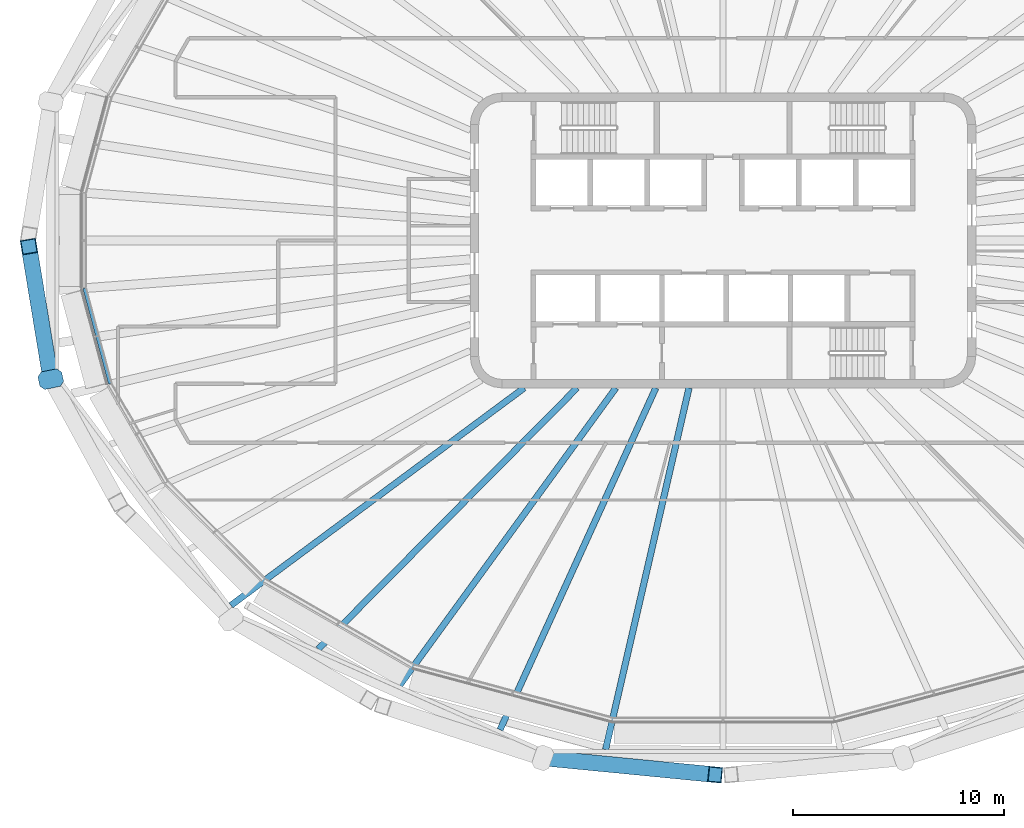
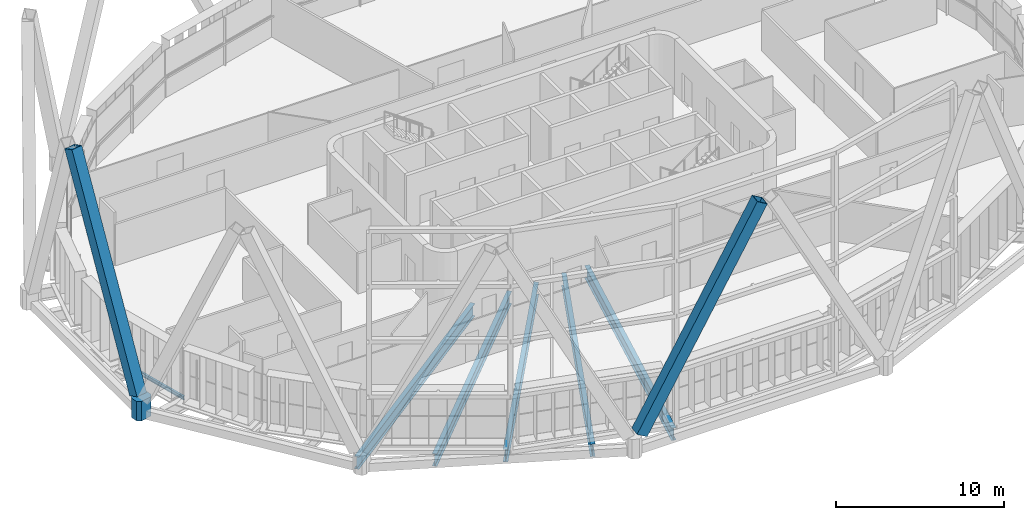
# One storey, part 2 of 22: 6 beams, 3 members.
"""IFC4 building model written with IfcOpenShell, lengths in metres."""

from ifc_helpers import new_model, si_unit, direction, frame, origin, origin_2d, place, context, subcontext, project, spatial, polyline, hollow_rectangle, i_section, outline, extrude, material, material_profile, profile_set, type_object, element, save


model = new_model("IFC4")

# Units and contexts
model_context = context("Model", 3, precision=1e-05, world=origin(), true_north=direction((0.0, 1.0)))
body_context = subcontext(model_context, "Body", "Model", "MODEL_VIEW")
ifc_project = project(units=[si_unit("LENGTHUNIT", "METRE"), si_unit("AREAUNIT", "SQUARE_METRE"), si_unit("VOLUMEUNIT", "CUBIC_METRE"), si_unit("PLANEANGLEUNIT", "RADIAN"), si_unit("MASSUNIT", "GRAM", prefix="KILO")], contexts=[model_context])

# Site, building, storey
site_placement = place(None, origin())
site = spatial("IfcSite", under=ifc_project, at=site_placement, CompositionType="ELEMENT")
building_placement = place(site_placement, origin())
building = spatial("IfcBuilding", under=site, at=building_placement, Name="Sahrelin Media Tower", CompositionType="ELEMENT")
storey_placement = place(building_placement, frame((0.0, 0.0, 233.60009765625)))
storey = spatial("IfcBuildingStorey", under=building, at=storey_placement, Name="L50", CompositionType="ELEMENT", Elevation=233.60009765625)

# Members
ifc_material_1 = material(Name="Steel S460", Category="steel")
ifc_material_profile_1 = material_profile(ifc_material_1, hollow_rectangle(XDim=0.75, YDim=0.75, WallThickness=0.0400390625, at=origin_2d()), Name="Diagrid diagonal DG6")
ifc_profile_set_1 = profile_set([ifc_material_profile_1], Name="Steel S460")
member_type_1 = type_object("IfcMemberType", Name="Diagrid diagonal DG6", PredefinedType="BRACE", material=ifc_profile_set_1)
member_1_placement = place(storey_placement, frame((-31.965576171875, -6.294921875, 0.699951171875), z_axis=(-0.062400726906, 0.379744616568, 0.922984385279), x_axis=(-0.986766401733, -0.162148291424, 0.0)))
element("IfcMember", 1, at=member_1_placement, inside=storey, type_object=member_type_1, Name="Diagrid diagonal D11-12", PredefinedType="BRACE", context=body_context, shape_type="SweptSolid", body=[
    extrude(hollow_rectangle(XDim=0.75, YDim=0.75, WallThickness=0.0400390625, at=origin_2d()), origin(), (0.0, 0.0, 1.0), 15.818115234375),
])
member_2_placement = place(storey_placement, frame((-8.17822265625, -24.603759765625, 0.699951171875), z_axis=(0.4709090869, -0.045846052821, 0.880989654488), x_axis=(0.096898351579, 0.995294282844, 0.0)))
element("IfcMember", 2, at=member_2_placement, inside=storey, type_object=member_type_1, Name="Diagrid diagonal D11-17", PredefinedType="BRACE", context=body_context, shape_type="SweptSolid", body=[
    extrude(hollow_rectangle(XDim=0.75, YDim=0.75, WallThickness=0.0400390625, at=origin_2d()), origin(), (0.0, 0.0, 1.0), 16.572021484375),
])
ifc_material_profile_2 = material_profile(ifc_material_1, outline(polyline([(0.375, -0.425048828125), (0.574951171875, -0.22509765625), (0.574951171875, 0.22509765625), (0.375, 0.425048828125), (-0.375, 0.425048828125), (-0.574951171875, 0.22509765625), (-0.574951171875, -0.22509765625), (-0.375, -0.425048828125), (0.375, -0.425048828125)])), Name="Diagrid node block 1150")
ifc_profile_set_2 = profile_set([ifc_material_profile_2], Name="Steel S460")
member_type_2 = type_object("IfcMemberType", Name="Diagrid node block 1150", PredefinedType="USERDEFINED", material=ifc_profile_set_2)
member_3_placement = place(storey_placement, frame((-31.918212890625, -6.582763671875, -0.7001953125), z_axis=(0.0, 0.0, 1.0), x_axis=(-0.979387770926, -0.201989094163, 0.0)))
element("IfcMember", 3, at=member_3_placement, inside=storey, type_object=member_type_2, Name="Diagrid node N11-06", ObjectType="NODE", PredefinedType="USERDEFINED", context=body_context, shape_type="SweptSolid", body=[
    extrude(outline(polyline([(0.375, -0.425048828125), (0.574951171875, -0.22509765625), (0.574951171875, 0.22509765625), (0.375, 0.425048828125), (-0.375, 0.425048828125), (-0.574951171875, 0.22509765625), (-0.574951171875, -0.22509765625), (-0.375, -0.425048828125), (0.375, -0.425048828125)])), origin(), (0.0, 0.0, 1.0), 1.400146484375),
])

# Beams
ifc_material_2 = material(Name="Steel S355", Category="steel")
ifc_material_profile_3 = material_profile(ifc_material_2, i_section(OverallWidth=0.14599609375, OverallDepth=0.25146484375, WebThickness=0.006103515625, FlangeThickness=0.008544921875, FilletRadius=0.007568359375, at=origin_2d()), Name="UB 254x146x31")
ifc_profile_set_3 = profile_set([ifc_material_profile_3], Name="Steel S355")
beam_type_1 = type_object("IfcBeamType", Name="Edge beam EB1", PredefinedType="BEAM", material=ifc_profile_set_3)
beam_1_placement = place(storey_placement, frame((-29.1064453125, -6.803955078125, -0.27587890625), z_axis=(-0.258805425508, 0.965929475545, 0.0), x_axis=(-0.965929475545, -0.258805425508, 0.0)))
element("IfcBeam", 4, at=beam_1_placement, inside=storey, type_object=beam_type_1, Name="Edge beam L50-12", PredefinedType="BEAM", context=body_context, shape_type="SweptSolid", body=[
    extrude(i_section(OverallWidth=0.14599609375, OverallDepth=0.25146484375, WebThickness=0.006103515625, FlangeThickness=0.008544921875, FilletRadius=0.007568359375, at=origin_2d()), origin(), (0.0, 0.0, 1.0), 4.693115234375),
])
ifc_material_profile_4 = material_profile(ifc_material_2, i_section(OverallWidth=0.30322265625, OverallDepth=0.903076171875, WebThickness=0.01513671875, FlangeThickness=0.020263671875, FilletRadius=0.01904296875, at=origin_2d()), Name="UB 914x305x201")
ifc_profile_set_4 = profile_set([ifc_material_profile_4], Name="Steel S355")
beam_type_2 = type_object("IfcBeamType", Name="Radial primary beam PB11", PredefinedType="BEAM", material=ifc_profile_set_4)
beam_2_placement = place(storey_placement, frame((-9.440673828125, -7.0, -0.6015625), z_axis=(-0.803276687883, -0.595606046564, 0.0), x_axis=(0.595606046564, -0.803276687883, 0.0)))
element("IfcBeam", 5, at=beam_2_placement, inside=storey, type_object=beam_type_2, Name="Radial beam L50-16", PredefinedType="BEAM", context=body_context, shape_type="SweptSolid", body=[
    extrude(i_section(OverallWidth=0.30322265625, OverallDepth=0.903076171875, WebThickness=0.01513671875, FlangeThickness=0.020263671875, FilletRadius=0.01904296875, at=origin_2d()), origin(), (0.0, 0.0, 1.0), 17.335693359375),
])
beam_3_placement = place(storey_placement, frame((-5.088134765625, -7.0, -0.6015625), z_axis=(-0.587974519617, -0.808879449783, 0.0), x_axis=(0.808879449783, -0.587974519617, 0.0)))
element("IfcBeam", 6, at=beam_3_placement, inside=storey, type_object=beam_type_2, Name="Radial beam L50-17", PredefinedType="BEAM", context=body_context, shape_type="SweptSolid", body=[
    extrude(i_section(OverallWidth=0.30322265625, OverallDepth=0.903076171875, WebThickness=0.01513671875, FlangeThickness=0.020263671875, FilletRadius=0.01904296875, at=origin_2d()), origin(), (0.0, 0.0, 1.0), 17.44970703125),
])
beam_4_placement = place(storey_placement, frame((-1.615478515625, -7.0, -0.6015625), z_axis=(-0.224854447872, -0.974392363102, 0.0), x_axis=(0.974392363102, -0.224854447872, 0.0)))
element("IfcBeam", 7, at=beam_4_placement, inside=storey, type_object=beam_type_2, Name="Radial beam L50-18", PredefinedType="BEAM", context=body_context, shape_type="SweptSolid", body=[
    extrude(i_section(OverallWidth=0.30322265625, OverallDepth=0.903076171875, WebThickness=0.01513671875, FlangeThickness=0.020263671875, FilletRadius=0.01904296875, at=origin_2d()), origin(), (0.0, 0.0, 1.0), 17.623046875),
])
ifc_material_profile_5 = material_profile(ifc_material_2, i_section(OverallWidth=0.30322265625, OverallDepth=0.903076171875, WebThickness=0.01513671875, FlangeThickness=0.020263671875, FilletRadius=0.01904296875, at=origin_2d()), Name="UB 914x305x201")
ifc_profile_set_5 = profile_set([ifc_material_profile_5], Name="Steel S355")
beam_type_3 = type_object("IfcBeamType", Name="Radial secondary beam SB11", PredefinedType="BEAM", material=ifc_profile_set_5)
beam_5_placement = place(storey_placement, frame((-6.93408203125, -7.0, -0.6015625), z_axis=(-0.703747860582, -0.7104498214, 0.0), x_axis=(0.7104498214, -0.703747860582, 0.0)))
element("IfcBeam", 8, at=beam_5_placement, inside=storey, type_object=beam_type_3, Name="Secondary beam L50-16", PredefinedType="BEAM", context=body_context, shape_type="SweptSolid", body=[
    extrude(i_section(OverallWidth=0.30322265625, OverallDepth=0.903076171875, WebThickness=0.01513671875, FlangeThickness=0.020263671875, FilletRadius=0.01904296875, at=origin_2d()), origin(), (0.0, 0.0, 1.0), 17.44921875),
])
beam_6_placement = place(storey_placement, frame((-3.190673828125, -7.0, -0.6015625), z_axis=(-0.414752517697, -0.909934255353, 0.0), x_axis=(0.909934255353, -0.414752517697, 0.0)))
element("IfcBeam", 9, at=beam_6_placement, inside=storey, type_object=beam_type_3, Name="Secondary beam L50-17", PredefinedType="BEAM", context=body_context, shape_type="SweptSolid", body=[
    extrude(i_section(OverallWidth=0.30322265625, OverallDepth=0.903076171875, WebThickness=0.01513671875, FlangeThickness=0.020263671875, FilletRadius=0.01904296875, at=origin_2d()), origin(), (0.0, 0.0, 1.0), 17.83642578125),
])

save(model, "model.ifc")
